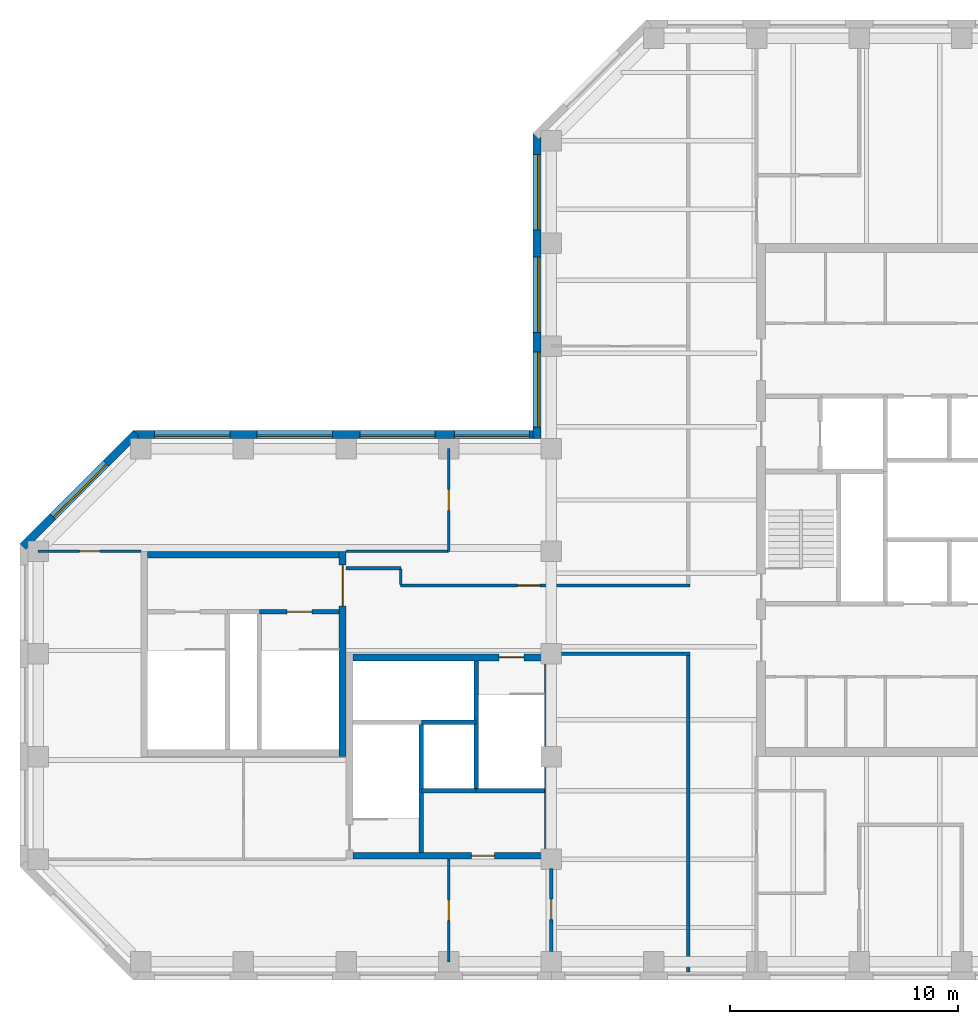
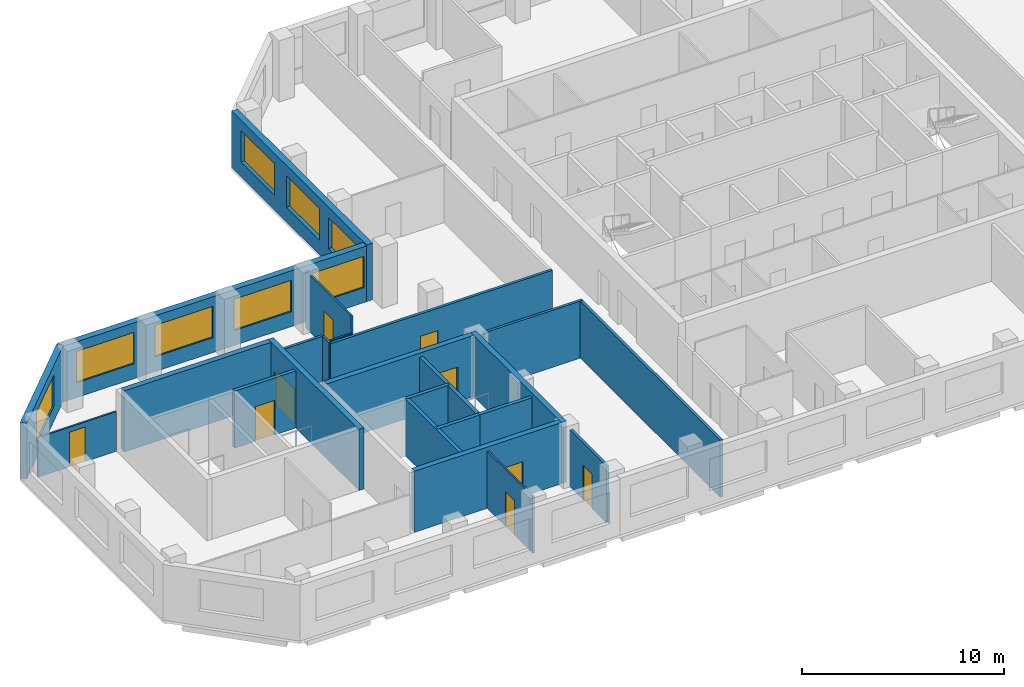
# One storey, part 3 of 9: 24 walls, 9 doors, 8 windows, 17 openings.
"""IFC4 building model written with IfcOpenShell, lengths in metres."""

from ifc_helpers import new_model, si_unit, direction, frame, frame_2d, origin, place, context, subcontext, project, spatial, rectangle, extrude, material, layer, layer_set, constituent, constituent_set, type_object, element, fill, save


model = new_model("IFC4")

# Units and contexts
model_context = context("Model", 3, precision=1e-05, world=origin(), true_north=direction((0.0, 1.0)))
body_context = subcontext(model_context, "Body", "Model", "MODEL_VIEW")
ifc_project = project(units=[si_unit("LENGTHUNIT", "METRE"), si_unit("AREAUNIT", "SQUARE_METRE"), si_unit("VOLUMEUNIT", "CUBIC_METRE"), si_unit("PLANEANGLEUNIT", "RADIAN"), si_unit("MASSUNIT", "GRAM", prefix="KILO")], contexts=[model_context])

# Site, building, storey
site_placement = place(None, origin())
site = spatial("IfcSite", under=ifc_project, at=site_placement, CompositionType="ELEMENT")
building_placement = place(site_placement, origin())
building = spatial("IfcBuilding", under=site, at=building_placement, Name="Quoin Convention Tower", CompositionType="ELEMENT")
storey_placement = place(building_placement, frame((0.0, 0.0, 260.0)))
storey = spatial("IfcBuildingStorey", under=building, at=storey_placement, Name="L68", CompositionType="ELEMENT", Elevation=260.0)

# Wall, openings, windows
ifc_material_1 = material(Name="Brick masonry", Category="masonry")
ifc_layer_1 = layer(ifc_material_1, 0.35009765625)
ifc_layer_set_1 = layer_set([ifc_layer_1], Name="Brick masonry")
wall_type_1 = type_object("IfcWallType", Name="Brick facade wall", PredefinedType="STANDARD", material=ifc_layer_set_1)
wall_1_placement = place(storey_placement, frame((35.375, 76.831298828125, 0.0), z_axis=(0.0, 0.0, 1.0), x_axis=(0.0, -1.0, 0.0)))
wall_1 = element("IfcWall", 1, at=wall_1_placement, inside=storey, type_object=wall_type_1, Name="fw-L68-36000_76500", PredefinedType="STANDARD", context=body_context, shape_type="SweptSolid", body=[
    extrude(rectangle(XDim=13.38134765625, YDim=0.35009765625, at=frame_2d((6.690673828125, 0.0))), origin(), (0.0, 0.0, 1.0), 3.425048828125),
])
opening_1_placement = place(wall_1_placement, frame((0.931396484375, 0.0, 0.89990234375)))
opening_1 = element("IfcOpeningElement", 2, at=opening_1_placement, cuts=wall_1, Name="Opening W-02", PredefinedType="OPENING", context=body_context, shape_type="SweptSolid", body=[
    extrude(rectangle(XDim=3.300048828125, YDim=1.89990234375, at=frame_2d((1.64990234375, 0.949951171875))), frame((0.0, 0.18505859375, 0.0), z_axis=(0.0, -1.0, 0.0), x_axis=(1.0, 0.0, 0.0)), (0.0, 0.0, 1.0), 0.3701171875),
])
opening_2_placement = place(wall_1_placement, frame((5.431396484375, 0.0, 0.89990234375)))
opening_2 = element("IfcOpeningElement", 3, at=opening_2_placement, cuts=wall_1, Name="Opening W-02", PredefinedType="OPENING", context=body_context, shape_type="SweptSolid", body=[
    extrude(rectangle(XDim=3.300048828125, YDim=1.89990234375, at=frame_2d((1.64990234375, 0.949951171875))), frame((0.0, 0.18505859375, 0.0), z_axis=(0.0, -1.0, 0.0), x_axis=(1.0, 0.0, 0.0)), (0.0, 0.0, 1.0), 0.3701171875),
])
opening_3_placement = place(wall_1_placement, frame((9.581298828125, 0.0, 0.89990234375)))
opening_3 = element("IfcOpeningElement", 4, at=opening_3_placement, cuts=wall_1, Name="Opening W-02", PredefinedType="OPENING", context=body_context, shape_type="SweptSolid", body=[
    extrude(rectangle(XDim=3.300048828125, YDim=1.89990234375, at=frame_2d((1.64990234375, 0.949951171875))), frame((0.0, 0.18505859375, 0.0), z_axis=(0.0, -1.0, 0.0), x_axis=(1.0, 0.0, 0.0)), (0.0, 0.0, 1.0), 0.3701171875),
])
ifc_material_2 = material(Name="Aluminium", Category="aluminium")
ifc_constituent_1 = constituent(ifc_material_2, Name="Frame")
ifc_material_3 = material(Name="Insulated glass", Category="glass")
ifc_constituent_2 = constituent(ifc_material_3, Name="Glazing")
ifc_constituent_set = constituent_set(constituents=[ifc_constituent_1, ifc_constituent_2], Name="Aluminium")
window_type = type_object("IfcWindowType", Name="Office window", PartitioningType="DOUBLE_PANEL_VERTICAL", PredefinedType="WINDOW", material=ifc_constituent_set)
window_1_placement = place(opening_1_placement, origin())
window_1 = element("IfcWindow", 5, at=window_1_placement, inside=storey, type_object=window_type, Name="win-L68-35375_74250", OverallHeight=1.89990234375, OverallWidth=3.300048828125, PartitioningType="SINGLE_PANEL", PredefinedType="WINDOW", context=body_context, shape_type="SweptSolid", body=[
    extrude(rectangle(XDim=3.300048828125, YDim=1.89990234375, at=frame_2d((1.64990234375, 0.949951171875))), frame((0.0, 0.0849609375, 0.0), z_axis=(0.0, -1.0, 0.0), x_axis=(1.0, 0.0, 0.0)), (0.0, 0.0, 1.0), 0.06005859375),
])
fill(opening_1, window_1)
window_2_placement = place(opening_2_placement, origin())
window_2 = element("IfcWindow", 6, at=window_2_placement, inside=storey, type_object=window_type, Name="win-L68-35375_69750", OverallHeight=1.89990234375, OverallWidth=3.300048828125, PartitioningType="SINGLE_PANEL", PredefinedType="WINDOW", context=body_context, shape_type="SweptSolid", body=[
    extrude(rectangle(XDim=3.300048828125, YDim=1.89990234375, at=frame_2d((1.64990234375, 0.949951171875))), frame((0.0, 0.0849609375, 0.0), z_axis=(0.0, -1.0, 0.0), x_axis=(1.0, 0.0, 0.0)), (0.0, 0.0, 1.0), 0.06005859375),
])
fill(opening_2, window_2)
window_3_placement = place(opening_3_placement, origin())
window_3 = element("IfcWindow", 7, at=window_3_placement, inside=storey, type_object=window_type, Name="win-L68-35375_65250", OverallHeight=1.89990234375, OverallWidth=3.300048828125, PartitioningType="SINGLE_PANEL", PredefinedType="WINDOW", context=body_context, shape_type="SweptSolid", body=[
    extrude(rectangle(XDim=3.300048828125, YDim=1.89990234375, at=frame_2d((1.64990234375, 0.949951171875))), frame((0.0, 0.0849609375, 0.0), z_axis=(0.0, -1.0, 0.0), x_axis=(1.0, 0.0, 0.0)), (0.0, 0.0, 1.0), 0.06005859375),
])
fill(opening_3, window_3)

wall_2_placement = place(storey_placement, frame((35.550048828125, 63.625, 0.0), z_axis=(0.0, 0.0, 1.0), x_axis=(-1.0, 0.0, 0.0)))
wall_2 = element("IfcWall", 8, at=wall_2_placement, inside=storey, type_object=wall_type_1, Name="fw-L68-36000_63000", PredefinedType="STANDARD", context=body_context, shape_type="SweptSolid", body=[
    extrude(rectangle(XDim=17.88134765625, YDim=0.35009765625, at=frame_2d((8.940673828125, 0.0))), origin(), (0.0, 0.0, 1.0), 3.375),
])
opening_4_placement = place(wall_2_placement, frame((0.5, 0.0, 0.89990234375)))
opening_4 = element("IfcOpeningElement", 9, at=opening_4_placement, cuts=wall_2, Name="Opening W-02", PredefinedType="OPENING", context=body_context, shape_type="SweptSolid", body=[
    extrude(rectangle(XDim=3.300048828125, YDim=1.89990234375, at=frame_2d((1.64990234375, 0.949951171875))), frame((0.0, 0.18505859375, 0.0), z_axis=(0.0, -1.0, 0.0), x_axis=(1.0, 0.0, 0.0)), (0.0, 0.0, 1.0), 0.3701171875),
])
opening_5_placement = place(wall_2_placement, frame((4.64990234375, 0.0, 0.89990234375)))
opening_5 = element("IfcOpeningElement", 10, at=opening_5_placement, cuts=wall_2, Name="Opening W-02", PredefinedType="OPENING", context=body_context, shape_type="SweptSolid", body=[
    extrude(rectangle(XDim=3.300048828125, YDim=1.89990234375, at=frame_2d((1.64990234375, 0.949951171875))), frame((0.0, 0.18505859375, 0.0), z_axis=(0.0, -1.0, 0.0), x_axis=(1.0, 0.0, 0.0)), (0.0, 0.0, 1.0), 0.3701171875),
])
opening_6_placement = place(wall_2_placement, frame((9.14990234375, 0.0, 0.89990234375)))
opening_6 = element("IfcOpeningElement", 11, at=opening_6_placement, cuts=wall_2, Name="Opening W-02", PredefinedType="OPENING", context=body_context, shape_type="SweptSolid", body=[
    extrude(rectangle(XDim=3.300048828125, YDim=1.89990234375, at=frame_2d((1.64990234375, 0.949951171875))), frame((0.0, 0.18505859375, 0.0), z_axis=(0.0, -1.0, 0.0), x_axis=(1.0, 0.0, 0.0)), (0.0, 0.0, 1.0), 0.3701171875),
])
opening_7_placement = place(wall_2_placement, frame((13.64990234375, 0.0, 0.89990234375)))
opening_7 = element("IfcOpeningElement", 12, at=opening_7_placement, cuts=wall_2, Name="Opening W-02", PredefinedType="OPENING", context=body_context, shape_type="SweptSolid", body=[
    extrude(rectangle(XDim=3.300048828125, YDim=1.89990234375, at=frame_2d((1.64990234375, 0.949951171875))), frame((0.0, 0.18505859375, 0.0), z_axis=(0.0, -1.0, 0.0), x_axis=(1.0, 0.0, 0.0)), (0.0, 0.0, 1.0), 0.3701171875),
])
window_4_placement = place(opening_4_placement, origin())
window_4 = element("IfcWindow", 13, at=window_4_placement, inside=storey, type_object=window_type, Name="win-L68-33750_63625", OverallHeight=1.89990234375, OverallWidth=3.300048828125, PartitioningType="SINGLE_PANEL", PredefinedType="WINDOW", context=body_context, shape_type="SweptSolid", body=[
    extrude(rectangle(XDim=3.300048828125, YDim=1.89990234375, at=frame_2d((1.64990234375, 0.949951171875))), frame((0.0, 0.0849609375, 0.0), z_axis=(0.0, -1.0, 0.0), x_axis=(1.0, 0.0, 0.0)), (0.0, 0.0, 1.0), 0.06005859375),
])
fill(opening_4, window_4)
window_5_placement = place(opening_5_placement, origin())
window_5 = element("IfcWindow", 14, at=window_5_placement, inside=storey, type_object=window_type, Name="win-L68-29250_63625", OverallHeight=1.89990234375, OverallWidth=3.300048828125, PartitioningType="SINGLE_PANEL", PredefinedType="WINDOW", context=body_context, shape_type="SweptSolid", body=[
    extrude(rectangle(XDim=3.300048828125, YDim=1.89990234375, at=frame_2d((1.64990234375, 0.949951171875))), frame((0.0, 0.0849609375, 0.0), z_axis=(0.0, -1.0, 0.0), x_axis=(1.0, 0.0, 0.0)), (0.0, 0.0, 1.0), 0.06005859375),
])
fill(opening_5, window_5)
window_6_placement = place(opening_6_placement, origin())
window_6 = element("IfcWindow", 15, at=window_6_placement, inside=storey, type_object=window_type, Name="win-L68-24750_63625", OverallHeight=1.89990234375, OverallWidth=3.300048828125, PartitioningType="SINGLE_PANEL", PredefinedType="WINDOW", context=body_context, shape_type="SweptSolid", body=[
    extrude(rectangle(XDim=3.300048828125, YDim=1.89990234375, at=frame_2d((1.64990234375, 0.949951171875))), frame((0.0, 0.0849609375, 0.0), z_axis=(0.0, -1.0, 0.0), x_axis=(1.0, 0.0, 0.0)), (0.0, 0.0, 1.0), 0.06005859375),
])
fill(opening_6, window_6)
window_7_placement = place(opening_7_placement, origin())
window_7 = element("IfcWindow", 16, at=window_7_placement, inside=storey, type_object=window_type, Name="win-L68-20250_63625", OverallHeight=1.89990234375, OverallWidth=3.300048828125, PartitioningType="SINGLE_PANEL", PredefinedType="WINDOW", context=body_context, shape_type="SweptSolid", body=[
    extrude(rectangle(XDim=3.300048828125, YDim=1.89990234375, at=frame_2d((1.64990234375, 0.949951171875))), frame((0.0, 0.0849609375, 0.0), z_axis=(0.0, -1.0, 0.0), x_axis=(1.0, 0.0, 0.0)), (0.0, 0.0, 1.0), 0.06005859375),
])
fill(opening_7, window_7)

# Wall, opening, window
wall_3_placement = place(storey_placement, frame((17.79248046875, 63.67626953125, 0.0), z_axis=(0.0, 0.0, 1.0), x_axis=(-0.707106781187, -0.707106781187, 0.0)))
wall_3 = element("IfcWall", 17, at=wall_3_placement, inside=storey, type_object=wall_type_1, Name="fw-L68-18000_63000", PredefinedType="STANDARD", context=body_context, shape_type="SweptSolid", body=[
    extrude(rectangle(XDim=7.02685546875, YDim=0.35009765625, at=frame_2d((3.513427734375, 0.0))), origin(), (0.0, 0.0, 1.0), 3.375),
])
opening_8_placement = place(wall_3_placement, frame((1.86328125, 0.0, 0.89990234375)))
opening_8 = element("IfcOpeningElement", 18, at=opening_8_placement, cuts=wall_3, Name="Opening W-02", PredefinedType="OPENING", context=body_context, shape_type="SweptSolid", body=[
    extrude(rectangle(XDim=3.300048828125, YDim=1.89990234375, at=frame_2d((1.64990234375, 0.949951171875))), frame((0.0, 0.18505859375, 0.0), z_axis=(0.0, -1.0, 0.0), x_axis=(1.0, 0.0, 0.0)), (0.0, 0.0, 1.0), 0.3701171875),
])
window_8_placement = place(opening_8_placement, origin())
window_8 = element("IfcWindow", 19, at=window_8_placement, inside=storey, type_object=window_type, Name="win-L68-15308_61192", OverallHeight=1.89990234375, OverallWidth=3.300048828125, PartitioningType="SINGLE_PANEL", PredefinedType="WINDOW", context=body_context, shape_type="SweptSolid", body=[
    extrude(rectangle(XDim=3.300048828125, YDim=1.89990234375, at=frame_2d((1.64990234375, 0.949951171875))), frame((0.0, 0.0849609375, 0.0), z_axis=(0.0, -1.0, 0.0), x_axis=(1.0, 0.0, 0.0)), (0.0, 0.0, 1.0), 0.06005859375),
])
fill(opening_8, window_8)

# Walls
ifc_material_4 = material(Name="Concrete C50", Category="concrete")
ifc_layer_2 = layer(ifc_material_4, 0.199951171875)
ifc_layer_set_2 = layer_set([ifc_layer_2], Name="Concrete C50")
wall_type_2 = type_object("IfcWallType", Name="Core shaft wall", PredefinedType="SOLIDWALL", material=ifc_layer_set_2)
wall_4_placement = place(storey_placement, frame((30.300048828125, 48.0, 0.0), z_axis=(0.0, 0.0, 1.0), x_axis=(1.0, 0.0, 0.0)))
element("IfcWall", 20, at=wall_4_placement, inside=storey, type_object=wall_type_2, Name="cr-P2-L68-h3000_3300", PredefinedType="SOLIDWALL", context=body_context, shape_type="SweptSolid", body=[
    extrude(rectangle(XDim=2.39990234375, YDim=0.199951171875, at=frame_2d((1.199951171875, 0.0))), origin(), (0.0, 0.0, 1.0), 3.449951171875),
])
wall_5_placement = place(storey_placement, frame((32.699951171875, 48.0, 0.0), z_axis=(0.0, 0.0, 1.0), x_axis=(1.0, 0.0, 0.0)))
element("IfcWall", 21, at=wall_5_placement, inside=storey, type_object=wall_type_2, Name="cr-P2-L68-h3000_5700", PredefinedType="SOLIDWALL", context=body_context, shape_type="SweptSolid", body=[
    extrude(rectangle(XDim=3.0, YDim=0.199951171875, at=frame_2d((1.5, 0.0))), origin(), (0.0, 0.0, 1.0), 3.449951171875),
])
wall_6_placement = place(storey_placement, frame((30.300048828125, 51.0, 0.0), z_axis=(0.0, 0.0, 1.0), x_axis=(1.0, 0.0, 0.0)))
element("IfcWall", 22, at=wall_6_placement, inside=storey, type_object=wall_type_2, Name="cr-P2-L68-h6000_3300", PredefinedType="SOLIDWALL", context=body_context, shape_type="SweptSolid", body=[
    extrude(rectangle(XDim=2.39990234375, YDim=0.199951171875, at=frame_2d((1.199951171875, 0.0))), origin(), (0.0, 0.0, 1.0), 3.449951171875),
])
for number, where, z_axis, x_axis, name in (
    (23, (30.300048828125, 45.300048828125, 0.0), (0.0, 0.0, 1.0), (0.0, 1.0, 0.0), "cr-P2-L68-v3300_300"),
    (24, (32.699951171875, 48.0, 0.0), (0.0, 0.0, 1.0), (0.0, 1.0, 0.0), "cr-P2-L68-v5700_3000"),
):
    element("IfcWall", number, at=place(storey_placement, frame(where, z_axis=z_axis, x_axis=x_axis)), inside=storey, type_object=wall_type_2, Name=name, PredefinedType="SOLIDWALL", context=body_context, shape_type="SweptSolid", body=[
        extrude(rectangle(XDim=5.699951171875, YDim=0.199951171875, at=frame_2d((2.85009765625, 0.0))), origin(), (0.0, 0.0, 1.0), 3.449951171875),
    ])

# Wall, opening, door
wall_7_placement = place(storey_placement, frame((23.199951171875, 55.85009765625, 0.0), z_axis=(0.0, 0.0, 1.0), x_axis=(1.0, 0.0, 0.0)))
wall_7 = element("IfcWall", 25, at=wall_7_placement, inside=storey, type_object=wall_type_2, Name="cr-P6-L68-h6350_5200", PredefinedType="SOLIDWALL", context=body_context, shape_type="SweptSolid", body=[
    extrude(rectangle(XDim=3.5, YDim=0.199951171875, at=frame_2d((1.75, 0.0))), origin(), (0.0, 0.0, 1.0), 3.449951171875),
])
opening_9_placement = place(wall_7_placement, frame((1.199951171875, 0.0, 0.0)))
opening_9 = element("IfcOpeningElement", 26, at=opening_9_placement, cuts=wall_7, Name="Opening SD12", PredefinedType="OPENING", context=body_context, shape_type="SweptSolid", body=[
    extrude(rectangle(XDim=1.10009765625, YDim=2.10009765625, at=frame_2d((0.550048828125, 1.050048828125))), frame((0.0, 0.10986328125, 0.0), z_axis=(0.0, -1.0, 0.0), x_axis=(1.0, 0.0, 0.0)), (0.0, 0.0, 1.0), 0.219970703125),
])
ifc_material_5 = material(Name="Steel door leaf", Category="steel")
door_type_1 = type_object("IfcDoorType", Name="Stair door 1100 x 2100", OperationType="SINGLE_SWING_RIGHT", PredefinedType="DOOR", material=ifc_material_5)
door_1_placement = place(opening_9_placement, origin())
door_1 = element("IfcDoor", 27, at=door_1_placement, inside=storey, type_object=door_type_1, Name="cd-P6-L68-SB-R2-SD12", OperationType="SINGLE_SWING_RIGHT", OverallHeight=2.10009765625, OverallWidth=1.10009765625, PredefinedType="DOOR", context=body_context, shape_type="SweptSolid", body=[
    extrude(rectangle(XDim=1.10009765625, YDim=2.10009765625, at=frame_2d((0.550048828125, 1.050048828125))), frame((0.0, 0.02490234375, 0.0), z_axis=(0.0, -1.0, 0.0), x_axis=(1.0, 0.0, 0.0)), (0.0, 0.0, 1.0), 0.050048828125),
])
fill(opening_9, door_1)

# Wall
ifc_material_6 = material(Name="Plasterboard")
ifc_layer_3 = layer(ifc_material_6, 0.012451171875, Name="Finish")
ifc_material_7 = material(Name="Steel stud framing", Category="steel")
ifc_layer_4 = layer(ifc_material_7, 0.125, Name="Structure")
ifc_layer_5 = layer(ifc_material_6, 0.012451171875, Name="Finish")
ifc_layer_set_3 = layer_set([ifc_layer_3, ifc_layer_4, ifc_layer_5], Name="Steel stud framing")
wall_type_3 = type_object("IfcWallType", Name="Corridor wall 150", PredefinedType="PARTITIONING", material=ifc_layer_set_3)
wall_8_placement = place(storey_placement, frame((36.449951171875, 54.0, 0.0), z_axis=(0.0, 0.0, 1.0), x_axis=(1.0, 0.0, 0.0)))
element("IfcWall", 28, at=wall_8_placement, inside=storey, type_object=wall_type_3, Name="pw-L68-011", PredefinedType="PARTITIONING", context=body_context, shape_type="SweptSolid", body=[
    extrude(rectangle(XDim=5.625, YDim=0.14990234375, at=frame_2d((2.8125, 0.0))), origin(), (0.0, 0.0, 1.0), 3.449951171875),
])

# Wall, opening, door
wall_9_placement = place(storey_placement, frame((29.3798828125, 57.0, 0.0), z_axis=(0.0, 0.0, 1.0), x_axis=(1.0, 0.0, 0.0)))
wall_9 = element("IfcWall", 29, at=wall_9_placement, inside=storey, type_object=wall_type_3, Name="pw-L68-014", PredefinedType="PARTITIONING", context=body_context, shape_type="SweptSolid", body=[
    extrude(rectangle(XDim=12.695068359375, YDim=0.14990234375, at=frame_2d((6.34765625, 0.0))), origin(), (0.0, 0.0, 1.0), 3.449951171875),
])
opening_10_placement = place(wall_9_placement, frame((5.1298828125, 0.0, 0.0)))
opening_10 = element("IfcOpeningElement", 30, at=opening_10_placement, cuts=wall_9, Name="Opening DOHS-03", PredefinedType="OPENING", context=body_context, shape_type="SweptSolid", body=[
    extrude(rectangle(XDim=1.0, YDim=2.10009765625, at=frame_2d((0.5, 1.050048828125))), frame((0.0, 0.0849609375, 0.0), z_axis=(0.0, -1.0, 0.0), x_axis=(1.0, 0.0, 0.0)), (0.0, 0.0, 1.0), 0.169921875),
])
door_type_2 = type_object("IfcDoorType", Name="Tenancy entrance door 1000 x 2100", OperationType="DOUBLE_DOOR_SINGLE_SWING", PredefinedType="DOOR", material=ifc_material_5)
door_2_placement = place(opening_10_placement, origin())
door_2 = element("IfcDoor", 31, at=door_2_placement, inside=storey, type_object=door_type_2, Name="dr-L68-w01", OperationType="DOUBLE_DOOR_SINGLE_SWING", OverallHeight=2.10009765625, OverallWidth=1.0, PredefinedType="DOOR", context=body_context, shape_type="SweptSolid", body=[
    extrude(rectangle(XDim=1.0, YDim=2.10009765625, at=frame_2d((0.5, 1.050048828125))), frame((0.0, 0.02490234375, 0.0), z_axis=(0.0, -1.0, 0.0), x_axis=(1.0, 0.0, 0.0)), (0.0, 0.0, 1.0), 0.050048828125),
])
fill(opening_10, door_2)

# Wall
wall_10_placement = place(storey_placement, frame((42.0, 40.050048828125, 0.0), z_axis=(0.0, 0.0, 1.0), x_axis=(0.0, 1.0, 0.0)))
element("IfcWall", 32, at=wall_10_placement, inside=storey, type_object=wall_type_3, Name="pw-L68-021", PredefinedType="PARTITIONING", context=body_context, shape_type="SweptSolid", body=[
    extrude(rectangle(XDim=13.875, YDim=0.14990234375, at=frame_2d((6.9375, 0.0))), origin(), (0.0, 0.0, 1.0), 3.449951171875),
])

# Wall, opening, door
wall_11_placement = place(storey_placement, frame((36.0, 40.949951171875, 0.0), z_axis=(0.0, 0.0, 1.0), x_axis=(0.0, 1.0, 0.0)))
wall_11 = element("IfcWall", 33, at=wall_11_placement, inside=storey, type_object=wall_type_3, Name="pw-L68-029", PredefinedType="PARTITIONING", context=body_context, shape_type="SweptSolid", body=[
    extrude(rectangle(XDim=3.630126953125, YDim=0.14990234375, at=frame_2d((1.81494140625, 0.0))), origin(), (0.0, 0.0, 1.0), 3.449951171875),
])
opening_11_placement = place(wall_11_placement, frame((1.39990234375, 0.0, 0.0)))
opening_11 = element("IfcOpeningElement", 34, at=opening_11_placement, cuts=wall_11, Name="Opening DOHS-11", PredefinedType="OPENING", context=body_context, shape_type="SweptSolid", body=[
    extrude(rectangle(XDim=0.89990234375, YDim=2.10009765625, at=frame_2d((0.449951171875, 1.050048828125))), frame((0.0, 0.0849609375, 0.0), z_axis=(0.0, -1.0, 0.0), x_axis=(1.0, 0.0, 0.0)), (0.0, 0.0, 1.0), 0.169921875),
])
door_type_3 = type_object("IfcDoorType", Name="Office door 900 x 2100", OperationType="SINGLE_SWING_RIGHT", PredefinedType="DOOR", material=ifc_material_5)
door_3_placement = place(opening_11_placement, frame((0.89990234375, 0.0, 0.0), z_axis=(0.0, 0.0, 1.0), x_axis=(-1.0, 0.0, 0.0)))
door_3 = element("IfcDoor", 35, at=door_3_placement, inside=storey, type_object=door_type_3, Name="dr-L68-01", OperationType="SINGLE_SWING_LEFT", OverallHeight=2.10009765625, OverallWidth=0.89990234375, PredefinedType="DOOR", context=body_context, shape_type="SweptSolid", body=[
    extrude(rectangle(XDim=0.89990234375, YDim=2.10009765625, at=frame_2d((0.449951171875, 1.050048828125))), frame((0.0, 0.02490234375, 0.0), z_axis=(0.0, -1.0, 0.0), x_axis=(1.0, 0.0, 0.0)), (0.0, 0.0, 1.0), 0.050048828125),
])
fill(opening_11, door_3)

# Wall
wall_12_placement = place(storey_placement, frame((27.0, 57.75, 0.0), z_axis=(0.0, 0.0, 1.0), x_axis=(1.0, 0.0, 0.0)))
element("IfcWall", 36, at=wall_12_placement, inside=storey, type_object=wall_type_3, Name="pw-L68-w09", PredefinedType="PARTITIONING", context=body_context, shape_type="SweptSolid", body=[
    extrude(rectangle(XDim=2.39990234375, YDim=0.14990234375, at=frame_2d((1.199951171875, 0.0))), origin(), (0.0, 0.0, 1.0), 3.449951171875),
])

# Wall, opening, door
ifc_layer_6 = layer(ifc_material_4, 0.300048828125)
ifc_layer_set_4 = layer_set([ifc_layer_6], Name="Concrete C50")
wall_type_4 = type_object("IfcWallType", Name="RC CORE WALL 300 C50", PredefinedType="SHEAR", material=ifc_layer_set_4)
wall_13_placement = place(storey_placement, frame((27.300048828125, 45.14990234375, 0.0), z_axis=(0.0, 0.0, 1.0), x_axis=(1.0, 0.0, 0.0)))
wall_13 = element("IfcWall", 37, at=wall_13_placement, inside=storey, type_object=wall_type_4, Name="cwl-P2-L68-S", PredefinedType="SHEAR", context=body_context, shape_type="SweptSolid", body=[
    extrude(rectangle(XDim=8.39990234375, YDim=0.300048828125, at=frame_2d((4.199951171875, 0.0))), origin(), (0.0, 0.0, 1.0), 3.699951171875),
])
opening_12_placement = place(wall_13_placement, frame((5.199951171875, 0.0, 0.0)))
opening_12 = element("IfcOpeningElement", 38, at=opening_12_placement, cuts=wall_13, Name="Opening DCV5-51", PredefinedType="OPENING", context=body_context, shape_type="SweptSolid", body=[
    extrude(rectangle(XDim=1.0, YDim=2.10009765625, at=frame_2d((0.5, 1.050048828125))), frame((0.0, 0.159912109375, 0.0), z_axis=(0.0, -1.0, 0.0), x_axis=(1.0, 0.0, 0.0)), (0.0, 0.0, 1.0), 0.320068359375),
])
door_type_4 = type_object("IfcDoorType", Name="Service door 1000 x 2100", OperationType="SINGLE_SWING_LEFT", PredefinedType="DOOR", material=ifc_material_5)
door_4_placement = place(opening_12_placement, frame((1.0, 0.0, 0.0), z_axis=(0.0, 0.0, 1.0), x_axis=(-1.0, 0.0, 0.0)))
door_4 = element("IfcDoor", 39, at=door_4_placement, inside=storey, type_object=door_type_4, Name="cd-P2-L68-R2-S", OperationType="SINGLE_SWING_RIGHT", OverallHeight=2.10009765625, OverallWidth=1.0, PredefinedType="DOOR", context=body_context, shape_type="SweptSolid", body=[
    extrude(rectangle(XDim=1.0, YDim=2.10009765625, at=frame_2d((0.5, 1.050048828125))), frame((0.0, 0.02490234375, 0.0), z_axis=(0.0, -1.0, 0.0), x_axis=(1.0, 0.0, 0.0)), (0.0, 0.0, 1.0), 0.050048828125),
])
fill(opening_12, door_4)

wall_14_placement = place(storey_placement, frame((27.300048828125, 53.85009765625, 0.0), z_axis=(0.0, 0.0, 1.0), x_axis=(1.0, 0.0, 0.0)))
wall_14 = element("IfcWall", 40, at=wall_14_placement, inside=storey, type_object=wall_type_4, Name="cwl-P2-L68-N", PredefinedType="SHEAR", context=body_context, shape_type="SweptSolid", body=[
    extrude(rectangle(XDim=8.39990234375, YDim=0.300048828125, at=frame_2d((4.199951171875, 0.0))), origin(), (0.0, 0.0, 1.0), 3.699951171875),
])
opening_13_placement = place(wall_14_placement, frame((6.39990234375, 0.0, 0.0)))
opening_13 = element("IfcOpeningElement", 41, at=opening_13_placement, cuts=wall_14, Name="Opening SD4", PredefinedType="OPENING", context=body_context, shape_type="SweptSolid", body=[
    extrude(rectangle(XDim=1.10009765625, YDim=2.10009765625, at=frame_2d((0.550048828125, 1.050048828125))), frame((0.0, 0.159912109375, 0.0), z_axis=(0.0, -1.0, 0.0), x_axis=(1.0, 0.0, 0.0)), (0.0, 0.0, 1.0), 0.320068359375),
])
door_5_placement = place(opening_13_placement, frame((1.10009765625, 0.0, 0.0), z_axis=(0.0, 0.0, 1.0), x_axis=(-1.0, 0.0, 0.0)))
door_5 = element("IfcDoor", 42, at=door_5_placement, inside=storey, type_object=door_type_1, Name="cd-P2-L68-SB-N", OperationType="SINGLE_SWING_LEFT", OverallHeight=2.10009765625, OverallWidth=1.10009765625, PredefinedType="DOOR", context=body_context, shape_type="SweptSolid", body=[
    extrude(rectangle(XDim=1.10009765625, YDim=2.10009765625, at=frame_2d((0.550048828125, 1.050048828125))), frame((0.0, 0.02490234375, 0.0), z_axis=(0.0, -1.0, 0.0), x_axis=(1.0, 0.0, 0.0)), (0.0, 0.0, 1.0), 0.050048828125),
])
fill(opening_13, door_5)

# Walls
wall_15_placement = place(storey_placement, frame((35.85009765625, 45.0, 0.0), z_axis=(0.0, 0.0, 1.0), x_axis=(0.0, 1.0, 0.0)))
element("IfcWall", 43, at=wall_15_placement, inside=storey, type_object=wall_type_4, Name="cwl-P2-L68-E", PredefinedType="SHEAR", context=body_context, shape_type="SweptSolid", body=[
    extrude(rectangle(XDim=9.0, YDim=0.300048828125, at=frame_2d((4.5, 0.0))), origin(), (0.0, 0.0, 1.0), 3.699951171875),
])
wall_16_placement = place(storey_placement, frame((18.300048828125, 58.35009765625, 0.0), z_axis=(0.0, 0.0, 1.0), x_axis=(1.0, 0.0, 0.0)))
element("IfcWall", 44, at=wall_16_placement, inside=storey, type_object=wall_type_4, Name="cwl-P6-L68-N", PredefinedType="SHEAR", context=body_context, shape_type="SweptSolid", body=[
    extrude(rectangle(XDim=8.39990234375, YDim=0.300048828125, at=frame_2d((4.199951171875, 0.0))), origin(), (0.0, 0.0, 1.0), 3.699951171875),
])

# Wall, opening, door
wall_17_placement = place(storey_placement, frame((26.85009765625, 49.5, 0.0), z_axis=(0.0, 0.0, 1.0), x_axis=(0.0, 1.0, 0.0)))
wall_17 = element("IfcWall", 45, at=wall_17_placement, inside=storey, type_object=wall_type_4, Name="cwl-P6-L68-E", PredefinedType="SHEAR", context=body_context, shape_type="SweptSolid", body=[
    extrude(rectangle(XDim=9.0, YDim=0.300048828125, at=frame_2d((4.5, 0.0))), origin(), (0.0, 0.0, 1.0), 3.699951171875),
])
opening_14_placement = place(wall_17_placement, frame((6.60009765625, 0.0, 0.0)))
opening_14 = element("IfcOpeningElement", 46, at=opening_14_placement, cuts=wall_17, Name="Opening DCV5-54", PredefinedType="OPENING", context=body_context, shape_type="SweptSolid", body=[
    extrude(rectangle(XDim=1.800048828125, YDim=2.10009765625, at=frame_2d((0.89990234375, 1.050048828125))), frame((0.0, 0.159912109375, 0.0), z_axis=(0.0, -1.0, 0.0), x_axis=(1.0, 0.0, 0.0)), (0.0, 0.0, 1.0), 0.320068359375),
])
door_type_5 = type_object("IfcDoorType", Name="Goods lobby door 1800 x 2100", OperationType="SINGLE_SWING_LEFT", PredefinedType="DOOR", material=ifc_material_5)
door_6_placement = place(opening_14_placement, origin())
door_6 = element("IfcDoor", 47, at=door_6_placement, inside=storey, type_object=door_type_5, Name="cd-P6-L68-R2-E", OperationType="SINGLE_SWING_LEFT", OverallHeight=2.10009765625, OverallWidth=1.800048828125, PredefinedType="DOOR", context=body_context, shape_type="SweptSolid", body=[
    extrude(rectangle(XDim=1.800048828125, YDim=2.10009765625, at=frame_2d((0.89990234375, 1.050048828125))), frame((0.0, 0.02490234375, 0.0), z_axis=(0.0, -1.0, 0.0), x_axis=(1.0, 0.0, 0.0)), (0.0, 0.0, 1.0), 0.050048828125),
])
fill(opening_14, door_6)

ifc_layer_7 = layer(ifc_material_6, 0.012451171875, Name="Finish")
ifc_layer_8 = layer(ifc_material_7, 0.074951171875, Name="Structure")
ifc_layer_9 = layer(ifc_material_6, 0.012451171875, Name="Finish")
ifc_layer_set_5 = layer_set([ifc_layer_7, ifc_layer_8, ifc_layer_9], Name="Steel stud framing")
wall_type_5 = type_object("IfcWallType", Name="Stud partition 100", PredefinedType="PARTITIONING", material=ifc_layer_set_5)
wall_18_placement = place(storey_placement, frame((31.5, 63.0, 0.0), z_axis=(0.0, 0.0, 1.0), x_axis=(0.0, -1.0, 0.0)))
wall_18 = element("IfcWall", 48, at=wall_18_placement, inside=storey, type_object=wall_type_5, Name="pw-L68-w02", PredefinedType="PARTITIONING", context=body_context, shape_type="SweptSolid", body=[
    extrude(rectangle(XDim=4.5, YDim=0.10009765625, at=frame_2d((2.25, 0.0))), origin(), (0.0, 0.0, 1.0), 3.449951171875),
])
opening_15_placement = place(wall_18_placement, frame((1.800048828125, 0.0, 0.0)))
opening_15 = element("IfcOpeningElement", 49, at=opening_15_placement, cuts=wall_18, Name="Opening DOHS-20", PredefinedType="OPENING", context=body_context, shape_type="SweptSolid", body=[
    extrude(rectangle(XDim=0.89990234375, YDim=2.10009765625, at=frame_2d((0.449951171875, 1.050048828125))), frame((0.0, 0.06005859375, 0.0), z_axis=(0.0, -1.0, 0.0), x_axis=(1.0, 0.0, 0.0)), (0.0, 0.0, 1.0), 0.1201171875),
])
door_7_placement = place(opening_15_placement, origin())
door_7 = element("IfcDoor", 50, at=door_7_placement, inside=storey, type_object=door_type_3, Name="dr-L68-w02", OperationType="SINGLE_SWING_LEFT", OverallHeight=2.10009765625, OverallWidth=0.89990234375, PredefinedType="DOOR", context=body_context, shape_type="SweptSolid", body=[
    extrude(rectangle(XDim=0.89990234375, YDim=2.10009765625, at=frame_2d((0.449951171875, 1.050048828125))), frame((0.0, 0.02490234375, 0.0), z_axis=(0.0, -1.0, 0.0), x_axis=(1.0, 0.0, 0.0)), (0.0, 0.0, 1.0), 0.050048828125),
])
fill(opening_15, door_7)

wall_19_placement = place(storey_placement, frame((31.5, 45.0, 0.0), z_axis=(0.0, 0.0, 1.0), x_axis=(0.0, -1.0, 0.0)))
wall_19 = element("IfcWall", 51, at=wall_19_placement, inside=storey, type_object=wall_type_5, Name="pw-L68-w08", PredefinedType="PARTITIONING", context=body_context, shape_type="SweptSolid", body=[
    extrude(rectangle(XDim=4.5, YDim=0.10009765625, at=frame_2d((2.25, 0.0))), origin(), (0.0, 0.0, 1.0), 3.449951171875),
])
opening_16_placement = place(wall_19_placement, frame((1.800048828125, 0.0, 0.0)))
opening_16 = element("IfcOpeningElement", 52, at=opening_16_placement, cuts=wall_19, Name="Opening DOHS-24", PredefinedType="OPENING", context=body_context, shape_type="SweptSolid", body=[
    extrude(rectangle(XDim=0.89990234375, YDim=2.10009765625, at=frame_2d((0.449951171875, 1.050048828125))), frame((0.0, 0.06005859375, 0.0), z_axis=(0.0, -1.0, 0.0), x_axis=(1.0, 0.0, 0.0)), (0.0, 0.0, 1.0), 0.1201171875),
])
door_8_placement = place(opening_16_placement, frame((0.89990234375, 0.0, 0.0), z_axis=(0.0, 0.0, 1.0), x_axis=(-1.0, 0.0, 0.0)))
door_8 = element("IfcDoor", 53, at=door_8_placement, inside=storey, type_object=door_type_3, Name="dr-L68-w07", OperationType="SINGLE_SWING_RIGHT", OverallHeight=2.10009765625, OverallWidth=0.89990234375, PredefinedType="DOOR", context=body_context, shape_type="SweptSolid", body=[
    extrude(rectangle(XDim=0.89990234375, YDim=2.10009765625, at=frame_2d((0.449951171875, 1.050048828125))), frame((0.0, 0.02490234375, 0.0), z_axis=(0.0, -1.0, 0.0), x_axis=(1.0, 0.0, 0.0)), (0.0, 0.0, 1.0), 0.050048828125),
])
fill(opening_16, door_8)

# Walls
wall_20_placement = place(storey_placement, frame((29.39990234375, 57.715087890625, 0.0), z_axis=(0.0, 0.0, 1.0), x_axis=(0.0, -1.0, 0.0)))
element("IfcWall", 54, at=wall_20_placement, inside=storey, type_object=wall_type_5, Name="pw-L68-w10", PredefinedType="PARTITIONING", context=body_context, shape_type="SweptSolid", body=[
    extrude(rectangle(XDim=0.68017578125, YDim=0.10009765625, at=frame_2d((0.340087890625, 0.0))), origin(), (0.0, 0.0, 1.0), 3.449951171875),
])
ifc_layer_10 = layer(ifc_material_6, 0.012451171875, Name="Finish")
ifc_layer_11 = layer(ifc_material_7, 0.074951171875, Name="Structure")
ifc_layer_12 = layer(ifc_material_6, 0.012451171875, Name="Finish")
ifc_layer_set_6 = layer_set([ifc_layer_10, ifc_layer_11, ifc_layer_12], Name="Steel stud framing")
wall_type_6 = type_object("IfcWallType", Name="Stud partition 100 under beam 1050", PredefinedType="PARTITIONING", material=ifc_layer_set_6)
wall_21_placement = place(storey_placement, frame((31.5, 58.5, 0.0), z_axis=(0.0, 0.0, 1.0), x_axis=(-1.0, 0.0, 0.0)))
element("IfcWall", 55, at=wall_21_placement, inside=storey, type_object=wall_type_6, Name="pw-L68-w03", PredefinedType="PARTITIONING", context=body_context, shape_type="SweptSolid", body=[
    extrude(rectangle(XDim=4.5, YDim=0.10009765625, at=frame_2d((2.25, 0.0))), origin(), (0.0, 0.0, 1.0), 2.39990234375),
])

# Wall, opening, door
wall_22_placement = place(storey_placement, frame((13.5, 58.5, 0.0), z_axis=(0.0, 0.0, 1.0), x_axis=(1.0, 0.0, 0.0)))
wall_22 = element("IfcWall", 56, at=wall_22_placement, inside=storey, type_object=wall_type_6, Name="pw-L68-w04", PredefinedType="PARTITIONING", context=body_context, shape_type="SweptSolid", body=[
    extrude(rectangle(XDim=4.5, YDim=0.10009765625, at=frame_2d((2.25, 0.0))), origin(), (0.0, 0.0, 1.0), 2.39990234375),
])
opening_17_placement = place(wall_22_placement, frame((1.800048828125, 0.0, 0.0)))
opening_17 = element("IfcOpeningElement", 57, at=opening_17_placement, cuts=wall_22, Name="Opening DOHS-21", PredefinedType="OPENING", context=body_context, shape_type="SweptSolid", body=[
    extrude(rectangle(XDim=0.89990234375, YDim=2.10009765625, at=frame_2d((0.449951171875, 1.050048828125))), frame((0.0, 0.06005859375, 0.0), z_axis=(0.0, -1.0, 0.0), x_axis=(1.0, 0.0, 0.0)), (0.0, 0.0, 1.0), 0.1201171875),
])
door_9_placement = place(opening_17_placement, frame((0.89990234375, 0.0, 0.0), z_axis=(0.0, 0.0, 1.0), x_axis=(-1.0, 0.0, 0.0)))
door_9 = element("IfcDoor", 58, at=door_9_placement, inside=storey, type_object=door_type_3, Name="dr-L68-w04", OperationType="SINGLE_SWING_LEFT", OverallHeight=2.10009765625, OverallWidth=0.89990234375, PredefinedType="DOOR", context=body_context, shape_type="SweptSolid", body=[
    extrude(rectangle(XDim=0.89990234375, YDim=2.10009765625, at=frame_2d((0.449951171875, 1.050048828125))), frame((0.0, 0.02490234375, 0.0), z_axis=(0.0, -1.0, 0.0), x_axis=(1.0, 0.0, 0.0)), (0.0, 0.0, 1.0), 0.050048828125),
])
fill(opening_17, door_9)

save(model, "model.ifc")
